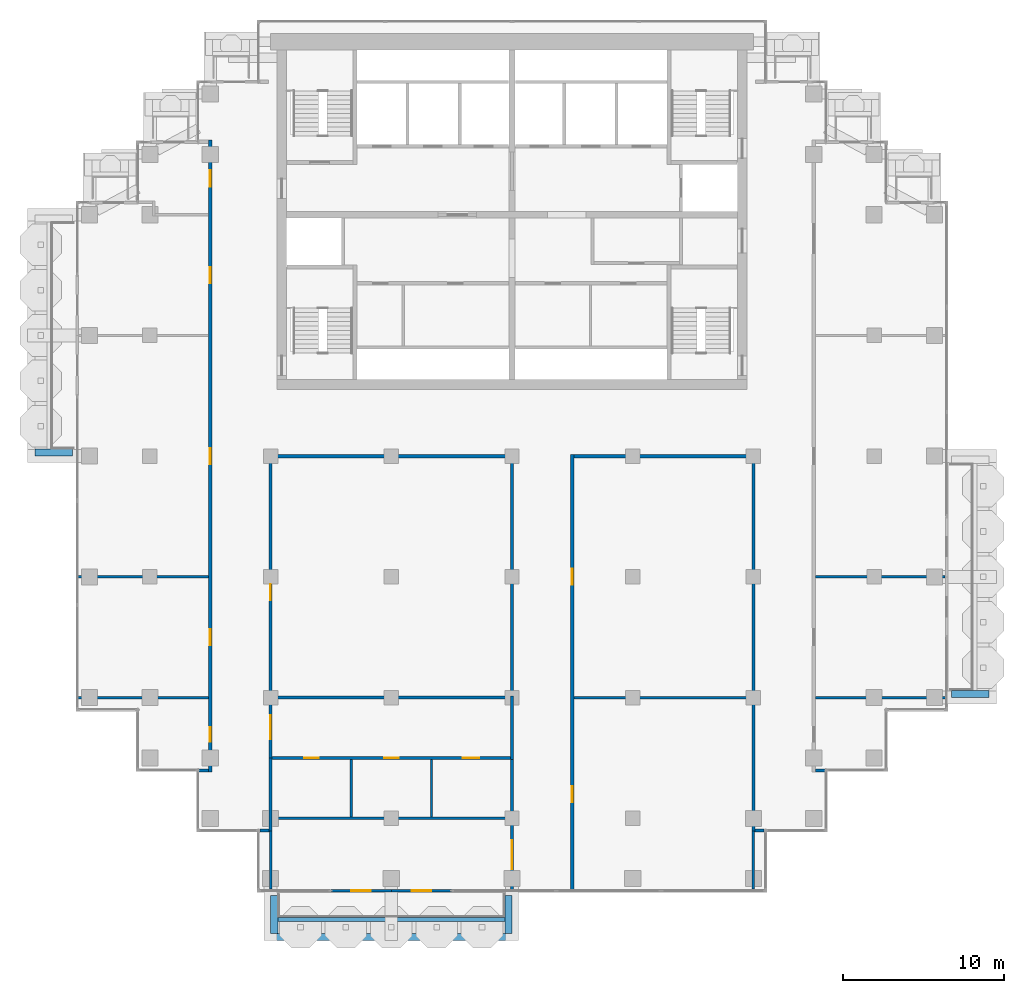
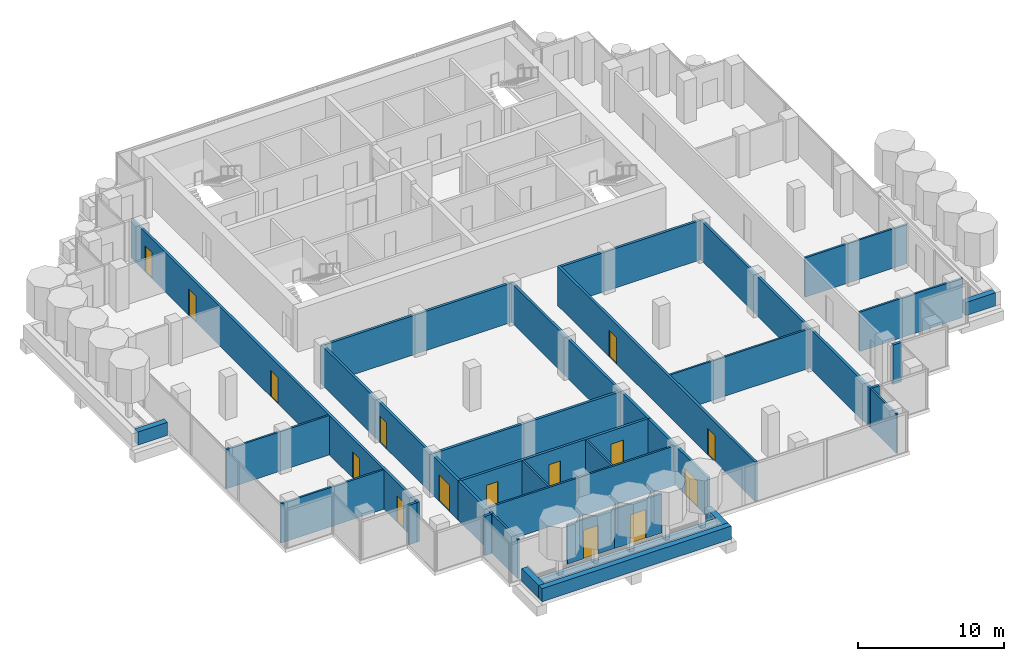
# One storey, part 11 of 17: 35 walls, 15 doors, 15 openings.
"""IFC4 building model written with IfcOpenShell, lengths in metres."""

from ifc_helpers import new_model, si_unit, direction, frame, frame_2d, origin, place, context, subcontext, project, spatial, rectangle, extrude, material, layer, layer_set, type_object, element, fill, save


model = new_model("IFC4")

# Units and contexts
model_context = context("Model", 3, precision=1e-05, world=origin(), true_north=direction((0.0, 1.0)))
body_context = subcontext(model_context, "Body", "Model", "MODEL_VIEW")
ifc_project = project(units=[si_unit("LENGTHUNIT", "METRE"), si_unit("AREAUNIT", "SQUARE_METRE"), si_unit("VOLUMEUNIT", "CUBIC_METRE"), si_unit("PLANEANGLEUNIT", "RADIAN"), si_unit("MASSUNIT", "GRAM", prefix="KILO")], contexts=[model_context])

# Site, building, storey
site_placement = place(None, origin())
site = spatial("IfcSite", under=ifc_project, at=site_placement, CompositionType="ELEMENT")
building_placement = place(site_placement, origin())
building = spatial("IfcBuilding", under=site, at=building_placement, Name="Pilkhan Gate Tower", CompositionType="ELEMENT")
storey_placement = place(building_placement, frame((0.0, 0.0, 206.699951171875)))
storey = spatial("IfcBuildingStorey", under=building, at=storey_placement, Name="L53", CompositionType="ELEMENT", Elevation=206.699951171875)

# Walls
ifc_material_1 = material(Name="Concrete C40/50", Category="concrete")
ifc_layer_1 = layer(ifc_material_1, 0.25)
ifc_layer_set_1 = layer_set([ifc_layer_1], Name="Balcony planter BP250")
wall_type_1 = type_object("IfcWallType", Name="Balcony planter BP250", PredefinedType="USERDEFINED", material=ifc_layer_set_1)
wall_1_placement = place(storey_placement, frame((60.449951171875, 38.72509765625, 0.0), z_axis=(0.0, 0.0, 1.0), x_axis=(1.0, 0.0, 0.0)))
element("IfcWall", 1, at=wall_1_placement, inside=storey, type_object=wall_type_1, Name="Balcony planter L53 S", ObjectType="BALCONY PLANTER", PredefinedType="USERDEFINED", context=body_context, shape_type="SweptSolid", body=[
    extrude(rectangle(XDim=14.10009765625, YDim=0.25, at=frame_2d((7.050048828125, 0.0))), origin(), (0.0, 0.0, 1.0), 1.0),
])
ifc_material_2 = material(Name="Board-marked Concrete C40/50", Category="concrete")
ifc_layer_2 = layer(ifc_material_2, 0.449951171875)
ifc_layer_set_2 = layer_set([ifc_layer_2], Name="Balcony planter lip BL450")
wall_type_2 = type_object("IfcWallType", Name="Balcony planter lip BL450", PredefinedType="USERDEFINED", material=ifc_layer_set_2)
wall_2_placement = place(storey_placement, frame((60.0, 37.625, 0.0), z_axis=(0.0, 0.0, 1.0), x_axis=(1.0, 0.0, 0.0)))
element("IfcWall", 2, at=wall_2_placement, inside=storey, type_object=wall_type_2, Name="Balcony planter L53 S", ObjectType="BALCONY PLANTER", PredefinedType="USERDEFINED", context=body_context, shape_type="SweptSolid", body=[
    extrude(rectangle(XDim=15.0, YDim=0.449951171875, at=frame_2d((7.5, 0.0))), origin(), (0.0, 0.0, 1.0), 1.10009765625),
])
for number, where, z_axis, x_axis, name in (
    (3, (60.22509765625, 40.199951171875, 0.0), (0.0, 0.0, 1.0), (0.0, -1.0, 0.0), "Balcony planter L53 S"),
    (4, (74.77490234375, 40.199951171875, 0.0), (0.0, 0.0, 1.0), (0.0, -1.0, 0.0), "Balcony planter L53 S"),
    (5, (102.300048828125, 52.72509765625, 0.0), (0.0, 0.0, 1.0), (1.0, 0.0, 0.0), "Balcony planter L53 E"),
    (6, (47.699951171875, 67.72509765625, 0.0), (0.0, 0.0, 1.0), (-1.0, 0.0, 0.0), "Balcony planter L53 W"),
):
    element("IfcWall", number, at=place(storey_placement, frame(where, z_axis=z_axis, x_axis=x_axis)), inside=storey, type_object=wall_type_2, Name=name, ObjectType="BALCONY PLANTER", PredefinedType="USERDEFINED", context=body_context, shape_type="SweptSolid", body=[
        extrude(rectangle(XDim=2.349853515625, YDim=0.449951171875, at=frame_2d((1.1748046875, 0.0))), origin(), (0.0, 0.0, 1.0), 1.10009765625),
    ])
ifc_material_3 = material(Name="Dense blockwork", Category="masonry")
ifc_layer_3 = layer(ifc_material_3, 0.199951171875)
ifc_layer_set_3 = layer_set([ifc_layer_3], Name="Corridor wall FW200")
wall_type_3 = type_object("IfcWallType", Name="Corridor wall FW200", PredefinedType="PARTITIONING", material=ifc_layer_set_3)
for number, where, z_axis, x_axis, name in (
    (7, (59.35498046875, 44.235107421875, 0.0), (0.0, 0.0, 1.0), (1.0, 0.0, 0.0), "Partition L53"),
    (8, (90.10009765625, 44.235107421875, 0.0), (0.0, 0.0, 1.0), (1.0, 0.0, 0.0), "Partition L53"),
):
    element("IfcWall", number, at=place(storey_placement, frame(where, z_axis=z_axis, x_axis=x_axis)), inside=storey, type_object=wall_type_3, Name=name, PredefinedType="PARTITIONING", context=body_context, shape_type="SweptSolid", body=[
        extrude(rectangle(XDim=0.544921875, YDim=0.199951171875, at=frame_2d((0.2724609375, 0.0))), origin(), (0.0, 0.0, 1.0), 3.300048828125),
    ])
for number, where, z_axis, x_axis, name in (
    (9, (55.485107421875, 47.969970703125, 0.0), (0.0, 0.0, 1.0), (1.0, 0.0, 0.0), "Partition L53"),
    (10, (93.85009765625, 47.969970703125, 0.0), (0.0, 0.0, 1.0), (1.0, 0.0, 0.0), "Partition L53"),
):
    element("IfcWall", number, at=place(storey_placement, frame(where, z_axis=z_axis, x_axis=x_axis)), inside=storey, type_object=wall_type_3, Name=name, PredefinedType="PARTITIONING", context=body_context, shape_type="SweptSolid", body=[
        extrude(rectangle(XDim=0.664794921875, YDim=0.199951171875, at=frame_2d((0.33251953125, 0.0))), origin(), (0.0, 0.0, 1.0), 3.300048828125),
    ])
wall_3_placement = place(storey_placement, frame((60.10009765625, 67.5, 0.0), z_axis=(0.0, 0.0, 1.0), x_axis=(1.0, 0.0, 0.0)))
element("IfcWall", 11, at=wall_3_placement, inside=storey, type_object=wall_type_3, Name="Partition L53", PredefinedType="PARTITIONING", context=body_context, shape_type="SweptSolid", body=[
    extrude(rectangle(XDim=14.7998046875, YDim=0.199951171875, at=frame_2d((7.39990234375, 0.0))), origin(), (0.0, 0.0, 1.0), 3.300048828125),
])
wall_4_placement = place(storey_placement, frame((78.85009765625, 67.5, 0.0), z_axis=(0.0, 0.0, 1.0), x_axis=(1.0, 0.0, 0.0)))
element("IfcWall", 12, at=wall_4_placement, inside=storey, type_object=wall_type_3, Name="Partition L53", PredefinedType="PARTITIONING", context=body_context, shape_type="SweptSolid", body=[
    extrude(rectangle(XDim=11.0498046875, YDim=0.199951171875, at=frame_2d((5.52490234375, 0.0))), origin(), (0.0, 0.0, 1.0), 3.300048828125),
])

# Wall, openings, doors
wall_5_placement = place(storey_placement, frame((56.25, 47.8701171875, 0.0), z_axis=(0.0, 0.0, 1.0), x_axis=(0.0, 1.0, 0.0)))
wall_5 = element("IfcWall", 13, at=wall_5_placement, inside=storey, type_object=wall_type_3, Name="Partition L53", PredefinedType="PARTITIONING", context=body_context, shape_type="SweptSolid", body=[
    extrude(rectangle(XDim=39.259765625, YDim=0.199951171875, at=frame_2d((19.6298828125, 0.0))), origin(), (0.0, 0.0, 1.0), 3.300048828125),
])
opening_1_placement = place(wall_5_placement, frame((1.89990234375, 0.0, 0.0)))
opening_1 = element("IfcOpeningElement", 14, at=opening_1_placement, cuts=wall_5, Name="Opening L53-21", PredefinedType="OPENING", context=body_context, shape_type="SweptSolid", body=[
    extrude(rectangle(XDim=0.89990234375, YDim=2.199951171875, at=frame_2d((0.449951171875, 1.10009765625))), frame((0.0, 0.10986328125, 0.0), z_axis=(0.0, -1.0, 0.0), x_axis=(1.0, 0.0, 0.0)), (0.0, 0.0, 1.0), 0.219970703125),
])
opening_2_placement = place(wall_5_placement, frame((7.8798828125, 0.0, 0.0)))
opening_2 = element("IfcOpeningElement", 15, at=opening_2_placement, cuts=wall_5, Name="Opening L53-22", PredefinedType="OPENING", context=body_context, shape_type="SweptSolid", body=[
    extrude(rectangle(XDim=1.0, YDim=2.199951171875, at=frame_2d((0.5, 1.10009765625))), frame((0.0, 0.10986328125, 0.0), z_axis=(0.0, -1.0, 0.0), x_axis=(1.0, 0.0, 0.0)), (0.0, 0.0, 1.0), 0.219970703125),
])
opening_3_placement = place(wall_5_placement, frame((19.1298828125, 0.0, 0.0)))
opening_3 = element("IfcOpeningElement", 16, at=opening_3_placement, cuts=wall_5, Name="Opening L53-23", PredefinedType="OPENING", context=body_context, shape_type="SweptSolid", body=[
    extrude(rectangle(XDim=1.0, YDim=2.199951171875, at=frame_2d((0.5, 1.10009765625))), frame((0.0, 0.10986328125, 0.0), z_axis=(0.0, -1.0, 0.0), x_axis=(1.0, 0.0, 0.0)), (0.0, 0.0, 1.0), 0.219970703125),
])
opening_4_placement = place(wall_5_placement, frame((30.3798828125, 0.0, 0.0)))
opening_4 = element("IfcOpeningElement", 17, at=opening_4_placement, cuts=wall_5, Name="Opening L53-27", PredefinedType="OPENING", context=body_context, shape_type="SweptSolid", body=[
    extrude(rectangle(XDim=1.0, YDim=2.199951171875, at=frame_2d((0.5, 1.10009765625))), frame((0.0, 0.10986328125, 0.0), z_axis=(0.0, -1.0, 0.0), x_axis=(1.0, 0.0, 0.0)), (0.0, 0.0, 1.0), 0.219970703125),
])
opening_5_placement = place(wall_5_placement, frame((36.3798828125, 0.0, 0.0)))
opening_5 = element("IfcOpeningElement", 18, at=opening_5_placement, cuts=wall_5, Name="Opening L53-28", PredefinedType="OPENING", context=body_context, shape_type="SweptSolid", body=[
    extrude(rectangle(XDim=1.0, YDim=2.199951171875, at=frame_2d((0.5, 1.10009765625))), frame((0.0, 0.10986328125, 0.0), z_axis=(0.0, -1.0, 0.0), x_axis=(1.0, 0.0, 0.0)), (0.0, 0.0, 1.0), 0.219970703125),
])
ifc_material_4 = material(Name="Timber flush door, 30 minute fire resisting", Category="wood")
door_type_1 = type_object("IfcDoorType", Name="Room door D03 1000x2200", OperationType="SINGLE_SWING_LEFT", PredefinedType="DOOR", material=ifc_material_4)
door_1_placement = place(opening_2_placement, origin())
door_1 = element("IfcDoor", 19, at=door_1_placement, inside=storey, type_object=door_type_1, Name="Room door", OperationType="SINGLE_SWING_LEFT", OverallHeight=2.199951171875, OverallWidth=1.0, PredefinedType="DOOR", context=body_context, shape_type="SweptSolid", body=[
    extrude(rectangle(XDim=1.0, YDim=2.199951171875, at=frame_2d((0.5, 1.10009765625))), frame((0.0, 0.02490234375, 0.0), z_axis=(0.0, -1.0, 0.0), x_axis=(1.0, 0.0, 0.0)), (0.0, 0.0, 1.0), 0.050048828125),
])
fill(opening_2, door_1)
door_2_placement = place(opening_3_placement, origin())
door_2 = element("IfcDoor", 20, at=door_2_placement, inside=storey, type_object=door_type_1, Name="Room door", OperationType="SINGLE_SWING_LEFT", OverallHeight=2.199951171875, OverallWidth=1.0, PredefinedType="DOOR", context=body_context, shape_type="SweptSolid", body=[
    extrude(rectangle(XDim=1.0, YDim=2.199951171875, at=frame_2d((0.5, 1.10009765625))), frame((0.0, 0.02490234375, 0.0), z_axis=(0.0, -1.0, 0.0), x_axis=(1.0, 0.0, 0.0)), (0.0, 0.0, 1.0), 0.050048828125),
])
fill(opening_3, door_2)
door_3_placement = place(opening_4_placement, origin())
door_3 = element("IfcDoor", 21, at=door_3_placement, inside=storey, type_object=door_type_1, Name="Room door", OperationType="SINGLE_SWING_LEFT", OverallHeight=2.199951171875, OverallWidth=1.0, PredefinedType="DOOR", context=body_context, shape_type="SweptSolid", body=[
    extrude(rectangle(XDim=1.0, YDim=2.199951171875, at=frame_2d((0.5, 1.10009765625))), frame((0.0, 0.02490234375, 0.0), z_axis=(0.0, -1.0, 0.0), x_axis=(1.0, 0.0, 0.0)), (0.0, 0.0, 1.0), 0.050048828125),
])
fill(opening_4, door_3)
door_4_placement = place(opening_5_placement, origin())
door_4 = element("IfcDoor", 22, at=door_4_placement, inside=storey, type_object=door_type_1, Name="Room door", OperationType="SINGLE_SWING_LEFT", OverallHeight=2.199951171875, OverallWidth=1.0, PredefinedType="DOOR", context=body_context, shape_type="SweptSolid", body=[
    extrude(rectangle(XDim=1.0, YDim=2.199951171875, at=frame_2d((0.5, 1.10009765625))), frame((0.0, 0.02490234375, 0.0), z_axis=(0.0, -1.0, 0.0), x_axis=(1.0, 0.0, 0.0)), (0.0, 0.0, 1.0), 0.050048828125),
])
fill(opening_5, door_4)
ifc_material_5 = material(Name="Timber flush door, 60 minute fire resisting, self-closing", Category="wood")
door_type_2 = type_object("IfcDoorType", Name="Store door D05 900x2200", OperationType="SINGLE_SWING_LEFT", PredefinedType="DOOR", material=ifc_material_5)
door_5_placement = place(opening_1_placement, origin())
door_5 = element("IfcDoor", 23, at=door_5_placement, inside=storey, type_object=door_type_2, Name="Store door", OperationType="SINGLE_SWING_RIGHT", OverallHeight=2.199951171875, OverallWidth=0.89990234375, PredefinedType="DOOR", context=body_context, shape_type="SweptSolid", body=[
    extrude(rectangle(XDim=0.89990234375, YDim=2.199951171875, at=frame_2d((0.449951171875, 1.10009765625))), frame((0.0, 0.02490234375, 0.0), z_axis=(0.0, -1.0, 0.0), x_axis=(1.0, 0.0, 0.0)), (0.0, 0.0, 1.0), 0.050048828125),
])
fill(opening_1, door_5)

# Wall
wall_6_placement = place(storey_placement, frame((60.0, 44.135009765625, 0.0), z_axis=(0.0, 0.0, 1.0), x_axis=(0.0, 1.0, 0.0)))
element("IfcWall", 24, at=wall_6_placement, inside=storey, type_object=wall_type_3, Name="Partition L53", PredefinedType="PARTITIONING", context=body_context, shape_type="SweptSolid", body=[
    extrude(rectangle(XDim=4.614990234375, YDim=0.199951171875, at=frame_2d((2.3076171875, 0.0))), origin(), (0.0, 0.0, 1.0), 3.300048828125),
])

# Wall, opening, door
wall_7_placement = place(storey_placement, frame((60.0, 52.5, 0.0), z_axis=(0.0, 0.0, 1.0), x_axis=(0.0, 1.0, 0.0)))
wall_7 = element("IfcWall", 25, at=wall_7_placement, inside=storey, type_object=wall_type_3, Name="Partition L53", PredefinedType="PARTITIONING", context=body_context, shape_type="SweptSolid", body=[
    extrude(rectangle(XDim=15.10009765625, YDim=0.199951171875, at=frame_2d((7.550048828125, 0.0))), origin(), (0.0, 0.0, 1.0), 3.300048828125),
])
opening_6_placement = place(wall_7_placement, frame((6.050048828125, 0.0, 0.0)))
opening_6 = element("IfcOpeningElement", 26, at=opening_6_placement, cuts=wall_7, Name="Opening L53-18", PredefinedType="OPENING", context=body_context, shape_type="SweptSolid", body=[
    extrude(rectangle(XDim=1.0, YDim=2.199951171875, at=frame_2d((0.5, 1.10009765625))), frame((0.0, 0.10986328125, 0.0), z_axis=(0.0, -1.0, 0.0), x_axis=(1.0, 0.0, 0.0)), (0.0, 0.0, 1.0), 0.219970703125),
])
door_6_placement = place(opening_6_placement, origin())
door_6 = element("IfcDoor", 27, at=door_6_placement, inside=storey, type_object=door_type_1, Name="Room door", OperationType="SINGLE_SWING_RIGHT", OverallHeight=2.199951171875, OverallWidth=1.0, PredefinedType="DOOR", context=body_context, shape_type="SweptSolid", body=[
    extrude(rectangle(XDim=1.0, YDim=2.199951171875, at=frame_2d((0.5, 1.10009765625))), frame((0.0, 0.02490234375, 0.0), z_axis=(0.0, -1.0, 0.0), x_axis=(1.0, 0.0, 0.0)), (0.0, 0.0, 1.0), 0.050048828125),
])
fill(opening_6, door_6)

wall_8_placement = place(storey_placement, frame((75.0, 40.485107421875, 0.0), z_axis=(0.0, 0.0, 1.0), x_axis=(0.0, 1.0, 0.0)))
wall_8 = element("IfcWall", 28, at=wall_8_placement, inside=storey, type_object=wall_type_3, Name="Partition L53", PredefinedType="PARTITIONING", context=body_context, shape_type="SweptSolid", body=[
    extrude(rectangle(XDim=8.264892578125, YDim=0.199951171875, at=frame_2d((4.13232421875, 0.0))), origin(), (0.0, 0.0, 1.0), 3.300048828125),
])
opening_7_placement = place(wall_8_placement, frame((1.35009765625, 0.0, 0.0)))
opening_7 = element("IfcOpeningElement", 29, at=opening_7_placement, cuts=wall_8, Name="Opening L53-17", PredefinedType="OPENING", context=body_context, shape_type="SweptSolid", body=[
    extrude(rectangle(XDim=1.800048828125, YDim=2.199951171875, at=frame_2d((0.89990234375, 1.10009765625))), frame((0.0, 0.10986328125, 0.0), z_axis=(0.0, -1.0, 0.0), x_axis=(1.0, 0.0, 0.0)), (0.0, 0.0, 1.0), 0.219970703125),
])
ifc_material_6 = material(Name="Timber glazed double door, 30 minute fire resisting", Category="wood")
door_type_3 = type_object("IfcDoorType", Name="Double door D04 1800x2200", OperationType="DOUBLE_DOOR_SINGLE_SWING", PredefinedType="DOOR", material=ifc_material_6)
door_7_placement = place(opening_7_placement, origin())
door_7 = element("IfcDoor", 30, at=door_7_placement, inside=storey, type_object=door_type_3, Name="Double door", OperationType="DOUBLE_DOOR_SINGLE_SWING", OverallHeight=2.199951171875, OverallWidth=1.800048828125, PredefinedType="DOOR", context=body_context, shape_type="SweptSolid", body=[
    extrude(rectangle(XDim=1.800048828125, YDim=2.199951171875, at=frame_2d((0.89990234375, 1.10009765625))), frame((0.0, 0.02490234375, 0.0), z_axis=(0.0, -1.0, 0.0), x_axis=(1.0, 0.0, 0.0)), (0.0, 0.0, 1.0), 0.050048828125),
])
fill(opening_7, door_7)

# Wall
wall_9_placement = place(storey_placement, frame((75.0, 52.5, 0.0), z_axis=(0.0, 0.0, 1.0), x_axis=(0.0, 1.0, 0.0)))
element("IfcWall", 31, at=wall_9_placement, inside=storey, type_object=wall_type_3, Name="Partition L53", PredefinedType="PARTITIONING", context=body_context, shape_type="SweptSolid", body=[
    extrude(rectangle(XDim=15.10009765625, YDim=0.199951171875, at=frame_2d((7.550048828125, 0.0))), origin(), (0.0, 0.0, 1.0), 3.300048828125),
])

# Wall, openings, doors
wall_10_placement = place(storey_placement, frame((78.75, 40.485107421875, 0.0), z_axis=(0.0, 0.0, 1.0), x_axis=(0.0, 1.0, 0.0)))
wall_10 = element("IfcWall", 32, at=wall_10_placement, inside=storey, type_object=wall_type_3, Name="Partition L53", PredefinedType="PARTITIONING", context=body_context, shape_type="SweptSolid", body=[
    extrude(rectangle(XDim=27.114990234375, YDim=0.199951171875, at=frame_2d((13.5576171875, 0.0))), origin(), (0.0, 0.0, 1.0), 3.300048828125),
])
opening_8_placement = place(wall_10_placement, frame((5.5, 0.0, 0.0)))
opening_8 = element("IfcOpeningElement", 33, at=opening_8_placement, cuts=wall_10, Name="Opening L53-19", PredefinedType="OPENING", context=body_context, shape_type="SweptSolid", body=[
    extrude(rectangle(XDim=1.0, YDim=2.199951171875, at=frame_2d((0.5, 1.10009765625))), frame((0.0, 0.10986328125, 0.0), z_axis=(0.0, -1.0, 0.0), x_axis=(1.0, 0.0, 0.0)), (0.0, 0.0, 1.0), 0.219970703125),
])
opening_9_placement = place(wall_10_placement, frame((19.014892578125, 0.0, 0.0)))
opening_9 = element("IfcOpeningElement", 34, at=opening_9_placement, cuts=wall_10, Name="Opening L53-20", PredefinedType="OPENING", context=body_context, shape_type="SweptSolid", body=[
    extrude(rectangle(XDim=1.0, YDim=2.199951171875, at=frame_2d((0.5, 1.10009765625))), frame((0.0, 0.10986328125, 0.0), z_axis=(0.0, -1.0, 0.0), x_axis=(1.0, 0.0, 0.0)), (0.0, 0.0, 1.0), 0.219970703125),
])
door_8_placement = place(opening_8_placement, origin())
door_8 = element("IfcDoor", 35, at=door_8_placement, inside=storey, type_object=door_type_1, Name="Room door", OperationType="SINGLE_SWING_LEFT", OverallHeight=2.199951171875, OverallWidth=1.0, PredefinedType="DOOR", context=body_context, shape_type="SweptSolid", body=[
    extrude(rectangle(XDim=1.0, YDim=2.199951171875, at=frame_2d((0.5, 1.10009765625))), frame((0.0, 0.02490234375, 0.0), z_axis=(0.0, -1.0, 0.0), x_axis=(1.0, 0.0, 0.0)), (0.0, 0.0, 1.0), 0.050048828125),
])
fill(opening_8, door_8)
door_9_placement = place(opening_9_placement, origin())
door_9 = element("IfcDoor", 36, at=door_9_placement, inside=storey, type_object=door_type_1, Name="Room door", OperationType="SINGLE_SWING_RIGHT", OverallHeight=2.199951171875, OverallWidth=1.0, PredefinedType="DOOR", context=body_context, shape_type="SweptSolid", body=[
    extrude(rectangle(XDim=1.0, YDim=2.199951171875, at=frame_2d((0.5, 1.10009765625))), frame((0.0, 0.02490234375, 0.0), z_axis=(0.0, -1.0, 0.0), x_axis=(1.0, 0.0, 0.0)), (0.0, 0.0, 1.0), 0.050048828125),
])
fill(opening_9, door_9)

# Wall
wall_11_placement = place(storey_placement, frame((90.0, 44.135009765625, 0.0), z_axis=(0.0, 0.0, 1.0), x_axis=(0.0, 1.0, 0.0)))
element("IfcWall", 37, at=wall_11_placement, inside=storey, type_object=wall_type_3, Name="Partition L53", PredefinedType="PARTITIONING", context=body_context, shape_type="SweptSolid", body=[
    extrude(rectangle(XDim=23.465087890625, YDim=0.199951171875, at=frame_2d((11.732421875, 0.0))), origin(), (0.0, 0.0, 1.0), 3.300048828125),
])

# Wall, opening, door
ifc_material_7 = material(Name="Pale anodised aluminium, clear laminated glazing", Category="aluminium")
ifc_layer_4 = layer(ifc_material_7, 0.14990234375)
ifc_layer_set_4 = layer_set([ifc_layer_4], Name="Facade infill wall IW150")
wall_type_4 = type_object("IfcWallType", Name="Facade infill wall IW150", PredefinedType="SOLIDWALL", material=ifc_layer_set_4)
wall_12_placement = place(storey_placement, frame((63.75, 40.5, 0.0), z_axis=(0.0, 0.0, 1.0), x_axis=(1.0, 0.0, 0.0)))
wall_12 = element("IfcWall", 38, at=wall_12_placement, inside=storey, type_object=wall_type_4, Name="Infill wall L53 S", PredefinedType="SOLIDWALL", context=body_context, shape_type="SweptSolid", body=[
    extrude(rectangle(XDim=3.75, YDim=0.14990234375, at=frame_2d((1.875, 0.0))), origin(), (0.0, 0.0, 1.0), 3.300048828125),
])
opening_10_placement = place(wall_12_placement, frame((1.27490234375, 0.0, 0.0)))
opening_10 = element("IfcOpeningElement", 39, at=opening_10_placement, cuts=wall_12, Name="Opening D1", PredefinedType="OPENING", context=body_context, shape_type="SweptSolid", body=[
    extrude(rectangle(XDim=1.199951171875, YDim=2.39990234375, at=frame_2d((0.60009765625, 1.199951171875))), frame((0.0, 0.0849609375, 0.0), z_axis=(0.0, -1.0, 0.0), x_axis=(1.0, 0.0, 0.0)), (0.0, 0.0, 1.0), 0.169921875),
])
ifc_material_8 = material(Name="Pale anodised aluminium, clear glazing", Category="aluminium")
door_type_4 = type_object("IfcDoorType", Name="Balcony door D1 1200x2400", OperationType="SINGLE_SWING_LEFT", PredefinedType="DOOR", material=ifc_material_8)
door_10_placement = place(opening_10_placement, origin())
door_10 = element("IfcDoor", 40, at=door_10_placement, inside=storey, type_object=door_type_4, Name="Balcony door L53", OperationType="SINGLE_SWING_LEFT", OverallHeight=2.39990234375, OverallWidth=1.199951171875, PredefinedType="DOOR", context=body_context, shape_type="SweptSolid", body=[
    extrude(rectangle(XDim=1.199951171875, YDim=2.39990234375, at=frame_2d((0.60009765625, 1.199951171875))), frame((0.0, 0.02490234375, 0.0), z_axis=(0.0, -1.0, 0.0), x_axis=(1.0, 0.0, 0.0)), (0.0, 0.0, 1.0), 0.050048828125),
])
fill(opening_10, door_10)

wall_13_placement = place(storey_placement, frame((67.5, 40.5, 0.0), z_axis=(0.0, 0.0, 1.0), x_axis=(1.0, 0.0, 0.0)))
wall_13 = element("IfcWall", 41, at=wall_13_placement, inside=storey, type_object=wall_type_4, Name="Infill wall L53 S", PredefinedType="SOLIDWALL", context=body_context, shape_type="SweptSolid", body=[
    extrude(rectangle(XDim=3.75, YDim=0.14990234375, at=frame_2d((1.875, 0.0))), origin(), (0.0, 0.0, 1.0), 3.300048828125),
])
opening_11_placement = place(wall_13_placement, frame((1.27490234375, 0.0, 0.0)))
opening_11 = element("IfcOpeningElement", 42, at=opening_11_placement, cuts=wall_13, Name="Opening D1", PredefinedType="OPENING", context=body_context, shape_type="SweptSolid", body=[
    extrude(rectangle(XDim=1.199951171875, YDim=2.39990234375, at=frame_2d((0.60009765625, 1.199951171875))), frame((0.0, 0.0849609375, 0.0), z_axis=(0.0, -1.0, 0.0), x_axis=(1.0, 0.0, 0.0)), (0.0, 0.0, 1.0), 0.169921875),
])
door_11_placement = place(opening_11_placement, origin())
door_11 = element("IfcDoor", 43, at=door_11_placement, inside=storey, type_object=door_type_4, Name="Balcony door L53", OperationType="SINGLE_SWING_LEFT", OverallHeight=2.39990234375, OverallWidth=1.199951171875, PredefinedType="DOOR", context=body_context, shape_type="SweptSolid", body=[
    extrude(rectangle(XDim=1.199951171875, YDim=2.39990234375, at=frame_2d((0.60009765625, 1.199951171875))), frame((0.0, 0.02490234375, 0.0), z_axis=(0.0, -1.0, 0.0), x_axis=(1.0, 0.0, 0.0)), (0.0, 0.0, 1.0), 0.050048828125),
])
fill(opening_11, door_11)

# Wall, openings, doors
ifc_layer_5 = layer(ifc_material_3, 0.199951171875)
ifc_layer_set_5 = layer_set([ifc_layer_5], Name="Lobby wall LW200")
wall_type_5 = type_object("IfcWallType", Name="Lobby wall LW200", PredefinedType="PARTITIONING", material=ifc_layer_set_5)
wall_14_placement = place(storey_placement, frame((60.10009765625, 48.75, 0.0), z_axis=(0.0, 0.0, 1.0), x_axis=(1.0, 0.0, 0.0)))
wall_14 = element("IfcWall", 44, at=wall_14_placement, inside=storey, type_object=wall_type_5, Name="Partition L53", PredefinedType="PARTITIONING", context=body_context, shape_type="SweptSolid", body=[
    extrude(rectangle(XDim=14.7998046875, YDim=0.199951171875, at=frame_2d((7.39990234375, 0.0))), origin(), (0.0, 0.0, 1.0), 3.300048828125),
])
opening_12_placement = place(wall_14_placement, frame((2.0, 0.0, 0.0)))
opening_12 = element("IfcOpeningElement", 45, at=opening_12_placement, cuts=wall_14, Name="Opening L53-14", PredefinedType="OPENING", context=body_context, shape_type="SweptSolid", body=[
    extrude(rectangle(XDim=0.89990234375, YDim=2.199951171875, at=frame_2d((0.449951171875, 1.10009765625))), frame((0.0, 0.10986328125, 0.0), z_axis=(0.0, -1.0, 0.0), x_axis=(1.0, 0.0, 0.0)), (0.0, 0.0, 1.0), 0.219970703125),
])
opening_13_placement = place(wall_14_placement, frame((6.949951171875, 0.0, 0.0)))
opening_13 = element("IfcOpeningElement", 46, at=opening_13_placement, cuts=wall_14, Name="Opening L53-15", PredefinedType="OPENING", context=body_context, shape_type="SweptSolid", body=[
    extrude(rectangle(XDim=0.89990234375, YDim=2.199951171875, at=frame_2d((0.449951171875, 1.10009765625))), frame((0.0, 0.10986328125, 0.0), z_axis=(0.0, -1.0, 0.0), x_axis=(1.0, 0.0, 0.0)), (0.0, 0.0, 1.0), 0.219970703125),
])
opening_14_placement = place(wall_14_placement, frame((11.85009765625, 0.0, 0.0)))
opening_14 = element("IfcOpeningElement", 47, at=opening_14_placement, cuts=wall_14, Name="Opening L53-16", PredefinedType="OPENING", context=body_context, shape_type="SweptSolid", body=[
    extrude(rectangle(XDim=1.0, YDim=2.199951171875, at=frame_2d((0.5, 1.10009765625))), frame((0.0, 0.10986328125, 0.0), z_axis=(0.0, -1.0, 0.0), x_axis=(1.0, 0.0, 0.0)), (0.0, 0.0, 1.0), 0.219970703125),
])
ifc_material_9 = material(Name="Timber flush door, outward opening, 30 minute fire resisting", Category="wood")
door_type_5 = type_object("IfcDoorType", Name="Accessible toilet door D07 1000x2200", OperationType="SINGLE_SWING_LEFT", PredefinedType="DOOR", material=ifc_material_9)
door_12_placement = place(opening_14_placement, origin())
door_12 = element("IfcDoor", 48, at=door_12_placement, inside=storey, type_object=door_type_5, Name="Accessible toilet door", OperationType="SINGLE_SWING_RIGHT", OverallHeight=2.199951171875, OverallWidth=1.0, PredefinedType="DOOR", context=body_context, shape_type="SweptSolid", body=[
    extrude(rectangle(XDim=1.0, YDim=2.199951171875, at=frame_2d((0.5, 1.10009765625))), frame((0.0, 0.02490234375, 0.0), z_axis=(0.0, -1.0, 0.0), x_axis=(1.0, 0.0, 0.0)), (0.0, 0.0, 1.0), 0.050048828125),
])
fill(opening_14, door_12)
door_type_6 = type_object("IfcDoorType", Name="Toilet door D06 900x2200", OperationType="SINGLE_SWING_LEFT", PredefinedType="DOOR", material=ifc_material_4)
door_13_placement = place(opening_12_placement, origin())
door_13 = element("IfcDoor", 49, at=door_13_placement, inside=storey, type_object=door_type_6, Name="Toilet door", OperationType="SINGLE_SWING_RIGHT", OverallHeight=2.199951171875, OverallWidth=0.89990234375, PredefinedType="DOOR", context=body_context, shape_type="SweptSolid", body=[
    extrude(rectangle(XDim=0.89990234375, YDim=2.199951171875, at=frame_2d((0.449951171875, 1.10009765625))), frame((0.0, 0.02490234375, 0.0), z_axis=(0.0, -1.0, 0.0), x_axis=(1.0, 0.0, 0.0)), (0.0, 0.0, 1.0), 0.050048828125),
])
fill(opening_12, door_13)
door_14_placement = place(opening_13_placement, origin())
door_14 = element("IfcDoor", 50, at=door_14_placement, inside=storey, type_object=door_type_6, Name="Toilet door", OperationType="SINGLE_SWING_RIGHT", OverallHeight=2.199951171875, OverallWidth=0.89990234375, PredefinedType="DOOR", context=body_context, shape_type="SweptSolid", body=[
    extrude(rectangle(XDim=0.89990234375, YDim=2.199951171875, at=frame_2d((0.449951171875, 1.10009765625))), frame((0.0, 0.02490234375, 0.0), z_axis=(0.0, -1.0, 0.0), x_axis=(1.0, 0.0, 0.0)), (0.0, 0.0, 1.0), 0.050048828125),
])
fill(opening_13, door_14)

# Wall
wall_15_placement = place(storey_placement, frame((60.10009765625, 52.5, 0.0), z_axis=(0.0, 0.0, 1.0), x_axis=(1.0, 0.0, 0.0)))
element("IfcWall", 51, at=wall_15_placement, inside=storey, type_object=wall_type_5, Name="Partition L53", PredefinedType="PARTITIONING", context=body_context, shape_type="SweptSolid", body=[
    extrude(rectangle(XDim=14.7998046875, YDim=0.199951171875, at=frame_2d((7.39990234375, 0.0))), origin(), (0.0, 0.0, 1.0), 3.300048828125),
])

# Wall, opening, door
wall_16_placement = place(storey_placement, frame((60.0, 48.64990234375, 0.0), z_axis=(0.0, 0.0, 1.0), x_axis=(0.0, 1.0, 0.0)))
wall_16 = element("IfcWall", 52, at=wall_16_placement, inside=storey, type_object=wall_type_5, Name="Partition L53", PredefinedType="PARTITIONING", context=body_context, shape_type="SweptSolid", body=[
    extrude(rectangle(XDim=3.9501953125, YDim=0.199951171875, at=frame_2d((1.97509765625, 0.0))), origin(), (0.0, 0.0, 1.0), 3.300048828125),
])
opening_15_placement = place(wall_16_placement, frame((1.25, 0.0, 0.0)))
opening_15 = element("IfcOpeningElement", 53, at=opening_15_placement, cuts=wall_16, Name="Opening L53-13", PredefinedType="OPENING", context=body_context, shape_type="SweptSolid", body=[
    extrude(rectangle(XDim=1.5, YDim=2.199951171875, at=frame_2d((0.75, 1.10009765625))), frame((0.0, 0.10986328125, 0.0), z_axis=(0.0, -1.0, 0.0), x_axis=(1.0, 0.0, 0.0)), (0.0, 0.0, 1.0), 0.219970703125),
])
ifc_material_10 = material(Name="Steel framed glazed door, 60 minute fire resisting", Category="steel")
door_type_7 = type_object("IfcDoorType", Name="Lobby door D09 1500x2200", OperationType="DOUBLE_DOOR_SINGLE_SWING", PredefinedType="DOOR", material=ifc_material_10)
door_15_placement = place(opening_15_placement, origin())
door_15 = element("IfcDoor", 54, at=door_15_placement, inside=storey, type_object=door_type_7, Name="Lobby door", OperationType="DOUBLE_DOOR_SINGLE_SWING", OverallHeight=2.199951171875, OverallWidth=1.5, PredefinedType="DOOR", context=body_context, shape_type="SweptSolid", body=[
    extrude(rectangle(XDim=1.5, YDim=2.199951171875, at=frame_2d((0.75, 1.10009765625))), frame((0.0, 0.02490234375, 0.0), z_axis=(0.0, -1.0, 0.0), x_axis=(1.0, 0.0, 0.0)), (0.0, 0.0, 1.0), 0.050048828125),
])
fill(opening_15, door_15)

# Walls
wall_17_placement = place(storey_placement, frame((75.0, 48.64990234375, 0.0), z_axis=(0.0, 0.0, 1.0), x_axis=(0.0, 1.0, 0.0)))
element("IfcWall", 55, at=wall_17_placement, inside=storey, type_object=wall_type_5, Name="Partition L53", PredefinedType="PARTITIONING", context=body_context, shape_type="SweptSolid", body=[
    extrude(rectangle(XDim=3.9501953125, YDim=0.199951171875, at=frame_2d((1.97509765625, 0.0))), origin(), (0.0, 0.0, 1.0), 3.300048828125),
])
ifc_material_11 = material(Name="Blockwork partition, plastered both sides", Category="masonry")
ifc_layer_6 = layer(ifc_material_11, 0.14990234375)
ifc_layer_set_6 = layer_set([ifc_layer_6], Name="Partition PW150")
wall_type_6 = type_object("IfcWallType", Name="Partition PW150", PredefinedType="PARTITIONING", material=ifc_layer_set_6)
wall_18_placement = place(storey_placement, frame((60.10009765625, 45.0, 0.0), z_axis=(0.0, 0.0, 1.0), x_axis=(1.0, 0.0, 0.0)))
element("IfcWall", 56, at=wall_18_placement, inside=storey, type_object=wall_type_6, Name="Partition L53", PredefinedType="PARTITIONING", context=body_context, shape_type="SweptSolid", body=[
    extrude(rectangle(XDim=14.7998046875, YDim=0.14990234375, at=frame_2d((7.39990234375, 0.0))), origin(), (0.0, 0.0, 1.0), 3.300048828125),
])
wall_19_placement = place(storey_placement, frame((47.985107421875, 52.5, 0.0), z_axis=(0.0, 0.0, 1.0), x_axis=(1.0, 0.0, 0.0)))
element("IfcWall", 57, at=wall_19_placement, inside=storey, type_object=wall_type_6, Name="Partition L53", PredefinedType="PARTITIONING", context=body_context, shape_type="SweptSolid", body=[
    extrude(rectangle(XDim=8.164794921875, YDim=0.14990234375, at=frame_2d((4.08251953125, 0.0))), origin(), (0.0, 0.0, 1.0), 3.300048828125),
])
wall_20_placement = place(storey_placement, frame((78.85009765625, 52.5, 0.0), z_axis=(0.0, 0.0, 1.0), x_axis=(1.0, 0.0, 0.0)))
element("IfcWall", 58, at=wall_20_placement, inside=storey, type_object=wall_type_6, Name="Partition L53", PredefinedType="PARTITIONING", context=body_context, shape_type="SweptSolid", body=[
    extrude(rectangle(XDim=11.0498046875, YDim=0.14990234375, at=frame_2d((5.52490234375, 0.0))), origin(), (0.0, 0.0, 1.0), 3.300048828125),
])
for number, where, z_axis, x_axis, name in (
    (59, (93.85009765625, 52.5, 0.0), (0.0, 0.0, 1.0), (1.0, 0.0, 0.0), "Partition L53"),
    (60, (47.985107421875, 60.0, 0.0), (0.0, 0.0, 1.0), (1.0, 0.0, 0.0), "Partition L53"),
):
    element("IfcWall", number, at=place(storey_placement, frame(where, z_axis=z_axis, x_axis=x_axis)), inside=storey, type_object=wall_type_6, Name=name, PredefinedType="PARTITIONING", context=body_context, shape_type="SweptSolid", body=[
        extrude(rectangle(XDim=8.164794921875, YDim=0.14990234375, at=frame_2d((4.08251953125, 0.0))), origin(), (0.0, 0.0, 1.0), 3.300048828125),
    ])
wall_21_placement = place(storey_placement, frame((93.85009765625, 60.0, 0.0), z_axis=(0.0, 0.0, 1.0), x_axis=(1.0, 0.0, 0.0)))
element("IfcWall", 61, at=wall_21_placement, inside=storey, type_object=wall_type_6, Name="Partition L53", PredefinedType="PARTITIONING", context=body_context, shape_type="SweptSolid", body=[
    extrude(rectangle(XDim=8.06494140625, YDim=0.14990234375, at=frame_2d((4.032470703125, 0.0))), origin(), (0.0, 0.0, 1.0), 3.300048828125),
])
wall_22_placement = place(storey_placement, frame((60.0, 40.60498046875, 0.0), z_axis=(0.0, 0.0, 1.0), x_axis=(0.0, 1.0, 0.0)))
element("IfcWall", 62, at=wall_22_placement, inside=storey, type_object=wall_type_6, Name="Partition L53", PredefinedType="PARTITIONING", context=body_context, shape_type="SweptSolid", body=[
    extrude(rectangle(XDim=3.60009765625, YDim=0.14990234375, at=frame_2d((1.800048828125, 0.0))), origin(), (0.0, 0.0, 1.0), 3.300048828125),
])
for number, where, z_axis, x_axis, name in (
    (63, (65.0, 45.074951171875, 0.0), (0.0, 0.0, 1.0), (0.0, 1.0, 0.0), "Partition L53"),
    (64, (70.0, 45.074951171875, 0.0), (0.0, 0.0, 1.0), (0.0, 1.0, 0.0), "Partition L53"),
):
    element("IfcWall", number, at=place(storey_placement, frame(where, z_axis=z_axis, x_axis=x_axis)), inside=storey, type_object=wall_type_6, Name=name, PredefinedType="PARTITIONING", context=body_context, shape_type="SweptSolid", body=[
        extrude(rectangle(XDim=3.574951171875, YDim=0.14990234375, at=frame_2d((1.78759765625, 0.0))), origin(), (0.0, 0.0, 1.0), 3.300048828125),
    ])
wall_23_placement = place(storey_placement, frame((90.0, 40.60498046875, 0.0), z_axis=(0.0, 0.0, 1.0), x_axis=(0.0, 1.0, 0.0)))
element("IfcWall", 65, at=wall_23_placement, inside=storey, type_object=wall_type_6, Name="Partition L53", PredefinedType="PARTITIONING", context=body_context, shape_type="SweptSolid", body=[
    extrude(rectangle(XDim=3.60009765625, YDim=0.14990234375, at=frame_2d((1.800048828125, 0.0))), origin(), (0.0, 0.0, 1.0), 3.300048828125),
])

save(model, "model.ifc")
